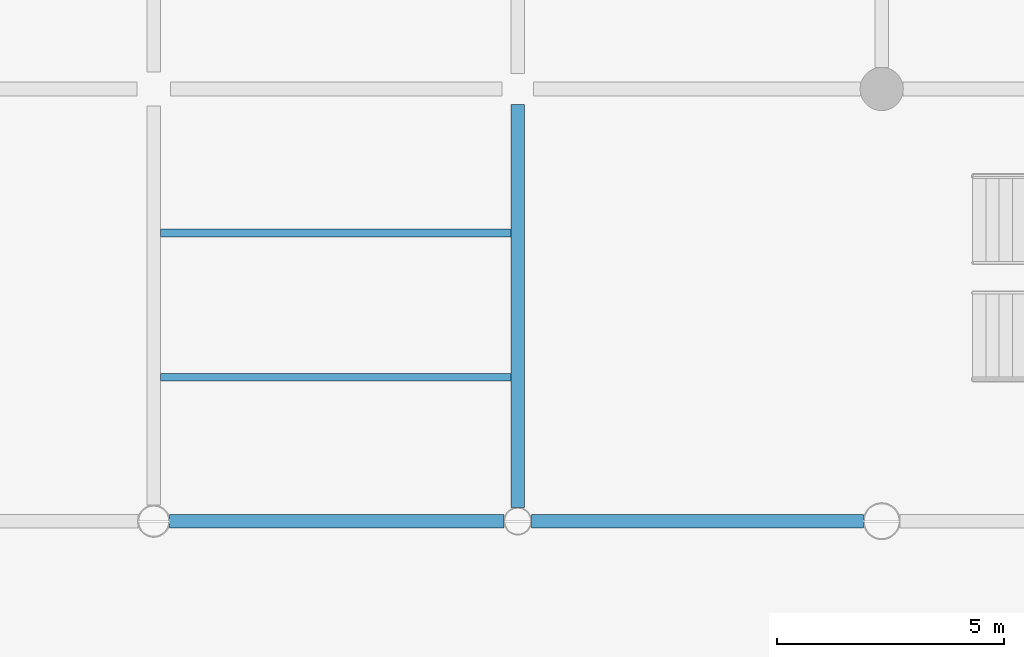
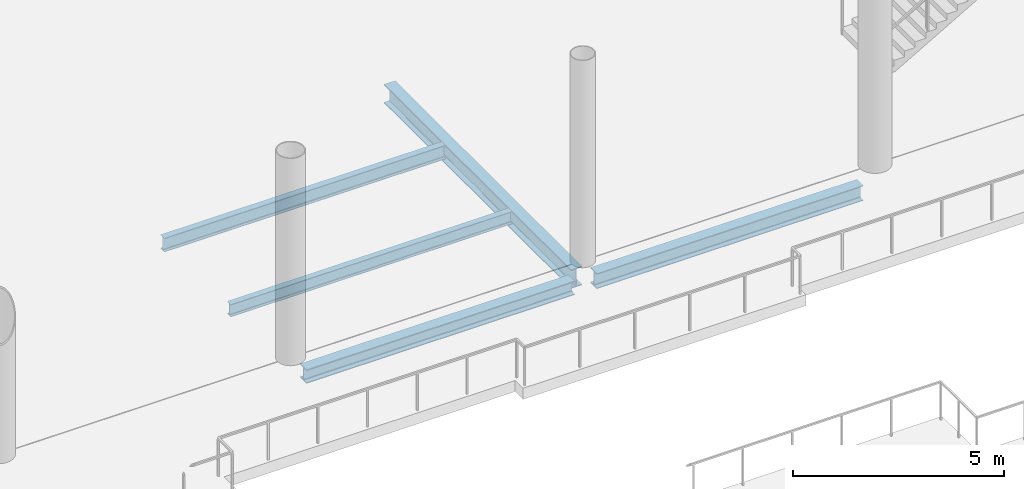
# One storey, part 75 of 163: 5 beams.
"""IFC4 building model written with IfcOpenShell, lengths in metres."""

import ifcopenshell
import ifcopenshell.guid

model = None  # the IFC model being written
_history = None  # IfcOwnerHistory: only IFC2X3 demands one
_inside = {}  # id of a spatial element -> (the spatial element, [elements in it])
_under = {}  # id of a project, library or spatial element -> (it, [spatial elements below it])
_declared = {}  # id of a project -> (the project, [libraries it declares])
_typed = {}  # id of a type object -> (the type object, [elements of that type])
_made_of = {}  # id of a material, layer set ... -> (it, [elements and type objects made of it])


def new_model(schema):
    """Start an empty IFC model of exactly this schema.

    Asked for "IFC4X3", IfcOpenShell would pick the latest addendum, in which some entities
    have other attributes; the version numbers below select the first issue.
    IFC2X3 requires an IfcOwnerHistory on every rooted entity: one is made here for all.
    """
    global model, _history
    if schema == "IFC4X3":
        model = ifcopenshell.file(schema_version=(4, 3, 0, 0))
    else:
        model = ifcopenshell.file(schema=schema)
    _inside.clear()
    _under.clear()
    _declared.clear()
    _typed.clear()
    _made_of.clear()
    _history = None
    if model.schema == "IFC2X3":
        org = make("IfcOrganization", Name="unknown")
        user = make(
            "IfcPersonAndOrganization",
            ThePerson=make("IfcPerson", FamilyName="unknown"),
            TheOrganization=org,
        )
        app = make(
            "IfcApplication",
            ApplicationDeveloper=org,
            Version="unknown",
            ApplicationFullName="unknown",
            ApplicationIdentifier="unknown",
        )
        _history = make(
            "IfcOwnerHistory",
            OwningUser=user,
            OwningApplication=app,
            ChangeAction="ADDED",
            CreationDate=0,
        )
    return model


def make(cls, **values):
    """One entity of the class cls with the attributes given. An attribute that is None is left unset."""
    return model.create_entity(
        cls, **{name: value for name, value in values.items() if value is not None}
    )


def rooted(cls, **values):
    """An entity with a GlobalId (a new one), such as an element, a storey or a relation."""
    return make(cls, GlobalId=ifcopenshell.guid.new(), OwnerHistory=_history, **values)


def si_unit(unit_type, name, prefix=None):
    """IfcSIUnit, for example si_unit("LENGTHUNIT", "METRE", prefix="MILLI")."""
    return make("IfcSIUnit", UnitType=unit_type, Prefix=prefix, Name=name)


def assignment(units):
    """IfcUnitAssignment: the units of a project."""
    return None if units is None else make("IfcUnitAssignment", Units=units)


def point(xyz):
    """IfcCartesianPoint."""
    return None if xyz is None else make("IfcCartesianPoint", Coordinates=xyz)


def direction(xyz):
    """IfcDirection."""
    return None if xyz is None else make("IfcDirection", DirectionRatios=xyz)


def frame(location, z_axis=None, x_axis=None):
    """IfcAxis2Placement3D, a coordinate frame: its origin and axes. An axis left out is left unset."""
    return make(
        "IfcAxis2Placement3D",
        Location=point(location),
        Axis=direction(z_axis),
        RefDirection=direction(x_axis),
    )


def frame_2d(location, x_axis=None):
    """IfcAxis2Placement2D, a coordinate frame in the plane: its origin and x axis."""
    return make(
        "IfcAxis2Placement2D", Location=point(location), RefDirection=direction(x_axis)
    )


def origin():
    """The frame at (0, 0, 0) with its axes left unset."""
    return frame((0.0, 0.0, 0.0))


def origin_2d():
    """The frame at (0, 0) in the plane with its x axis left unset."""
    return frame_2d((0.0, 0.0))


def place(relative_to, where):
    """IfcLocalPlacement: puts the frame where relative to a parent placement (None: the world)."""
    return make(
        "IfcLocalPlacement", PlacementRelTo=relative_to, RelativePlacement=where
    )


def context(
    kind, dimensions, precision=None, world=None, true_north=None, identifier=None
):
    """IfcGeometricRepresentationContext, for example the 3D "Model" context."""
    return make(
        "IfcGeometricRepresentationContext",
        ContextIdentifier=identifier,
        ContextType=kind,
        CoordinateSpaceDimension=dimensions,
        Precision=precision,
        WorldCoordinateSystem=world,
        TrueNorth=true_north,
    )


def subcontext(parent, identifier, kind, view, scale=None):
    """IfcGeometricRepresentationSubContext, for example "Body" below "Model"."""
    return make(
        "IfcGeometricRepresentationSubContext",
        ContextIdentifier=identifier,
        ContextType=kind,
        ParentContext=parent,
        TargetScale=scale,
        TargetView=view,
    )


def project(units=None, contexts=None):
    """IfcProject with its units and contexts."""
    return rooted(
        "IfcProject",
        Name="project",
        RepresentationContexts=contexts,
        UnitsInContext=assignment(units),
    )


def spatial(cls, under=None, at=None, **own):
    """A site, building, storey or space (cls), placed at a placement, below another one or the project."""
    s = rooted(cls, ObjectPlacement=at, **own)
    if under is not None:
        _under.setdefault(under.id(), (under, []))[1].append(s)
    return s


def profile(cls, at=None, kind="AREA", **sizes):
    """A parametric profile (cls). Its sizes go by their IFC names, for example OverallWidth=200.0."""
    return make(cls, ProfileType=kind, Position=at, **sizes)


def i_section(**sizes):
    """IfcIShapeProfileDef."""
    return profile("IfcIShapeProfileDef", **sizes)


def extrude(swept, where, along, depth):
    """IfcExtrudedAreaSolid: the profile swept, set in the frame where, extruded along a direction by depth."""
    return make(
        "IfcExtrudedAreaSolid",
        SweptArea=swept,
        Position=where,
        ExtrudedDirection=direction(along),
        Depth=depth,
    )


def shape(context_of_items, identifier, shape_type, items):
    """IfcShapeRepresentation: the items that make up one representation, for example the "Body"."""
    return make(
        "IfcShapeRepresentation",
        ContextOfItems=context_of_items,
        RepresentationIdentifier=identifier,
        RepresentationType=shape_type,
        Items=items,
    )


def material(Name=None, Category=None):
    """IfcMaterial."""
    return make("IfcMaterial", Name=Name, Category=Category)


def material_profile(
    of_material, cross_section, Name=None, Category=None, Priority=None
):
    """IfcMaterialProfile: a cross section and its material."""
    return make(
        "IfcMaterialProfile",
        Name=Name,
        Material=of_material,
        Profile=cross_section,
        Priority=Priority,
        Category=Category,
    )


def profile_set(profiles, Name=None, composite=None):
    """IfcMaterialProfileSet."""
    return make(
        "IfcMaterialProfileSet",
        Name=Name,
        MaterialProfiles=profiles,
        CompositeProfile=composite,
    )


def made_of(thing, what):
    """Note that an element or type object is made of a material, layer set ...; save() writes the relation."""
    if what is not None:
        _made_of.setdefault(what.id(), (what, []))[1].append(thing)
    return thing


def type_object(cls, material=None, **own):
    """A type object (cls), such as IfcWallType, which elements share."""
    return made_of(rooted(cls, **own), material)


def element(
    cls,
    number,
    at=None,
    inside=None,
    cuts=None,
    type_object=None,
    material=None,
    context=None,
    identifier="Body",
    shape_type=None,
    held_by="IfcProductDefinitionShape",
    body=None,
    shapes=None,
    **own,
):
    """One element of the class cls, such as IfcWall. Its Tag is "e" and its number.

    at: its placement. inside: the storey or other place that contains it. cuts: it is an
    opening in that element (IfcRelVoidsElement). A single representation is given by context,
    identifier, shape_type and body (its items); several are given by shapes. held_by: the class
    of the entity that holds the representations. save() writes the other relations.
    """
    e = rooted(cls, Tag="e%d" % number, ObjectPlacement=at, **own)
    if body is not None:
        shapes = [shape(context, identifier, shape_type, body)]
    if shapes is not None:
        e.Representation = make(held_by, Representations=shapes)
    if inside is not None:
        _inside.setdefault(inside.id(), (inside, []))[1].append(e)
    if cuts is not None:
        rooted(
            "IfcRelVoidsElement", RelatingBuildingElement=cuts, RelatedOpeningElement=e
        )
    if type_object is not None:
        _typed.setdefault(type_object.id(), (type_object, []))[1].append(e)
    return made_of(e, material)


def aggregate(whole, parts):
    """IfcRelAggregates: a whole, such as a stair, and the parts it consists of."""
    return rooted("IfcRelAggregates", RelatingObject=whole, RelatedObjects=parts)


def save(model, path):
    """Write the relations noted so far, then the file.

    IfcRelAggregates (storeys below a building ...), IfcRelContainedInSpatialStructure (elements
    in a storey), IfcRelDefinesByType, IfcRelAssociatesMaterial and IfcRelDeclares: one each for
    every whole, place, type object, material and project.
    """
    for whole, parts in _under.values():
        aggregate(whole, parts)
    for where, things in _inside.values():
        rooted(
            "IfcRelContainedInSpatialStructure",
            RelatedElements=things,
            RelatingStructure=where,
        )
    for kind, things in _typed.values():
        rooted("IfcRelDefinesByType", RelatedObjects=things, RelatingType=kind)
    for what, things in _made_of.values():
        rooted("IfcRelAssociatesMaterial", RelatedObjects=things, RelatingMaterial=what)
    for by, libraries in _declared.values():
        rooted("IfcRelDeclares", RelatingContext=by, RelatedDefinitions=libraries)
    model.write(path)


model = new_model("IFC4")

# Units and contexts
model_context = context("Model", 3, precision=1e-05, world=origin(), true_north=direction((0.0, 1.0)))
body_context = subcontext(model_context, "Body", "Model", "MODEL_VIEW")
ifc_project = project(units=[si_unit("LENGTHUNIT", "METRE"), si_unit("AREAUNIT", "SQUARE_METRE"), si_unit("VOLUMEUNIT", "CUBIC_METRE"), si_unit("PLANEANGLEUNIT", "RADIAN"), si_unit("MASSUNIT", "GRAM", prefix="KILO")], contexts=[model_context])

# Site, building, storey
site_placement = place(None, origin())
site = spatial("IfcSite", under=ifc_project, at=site_placement, CompositionType="ELEMENT")
building_placement = place(site_placement, origin())
building = spatial("IfcBuilding", under=site, at=building_placement, Name="Khorjan Park Terminus", CompositionType="ELEMENT")
storey_placement = place(building_placement, origin())
storey = spatial("IfcBuildingStorey", under=building, at=storey_placement, Name="L00", CompositionType="ELEMENT", Elevation=0.0)

# Beams
ifc_material = material(Name="Steel S355", Category="steel")
ifc_material_profile_1 = material_profile(ifc_material, i_section(OverallWidth=0.3, OverallDepth=0.44, WebThickness=0.0115, FlangeThickness=0.021, FilletRadius=0.027, at=origin_2d()), Name="HEA 450")
ifc_profile_set_1 = profile_set([ifc_material_profile_1], Name="Steel S355")
beam_type_1 = type_object("IfcBeamType", Name="BM-HEA450", PredefinedType="BEAM", material=ifc_profile_set_1)
beam_1_placement = place(storey_placement, frame((96.3, 102.0, -0.62), z_axis=(1.0, 0.0, 0.0), x_axis=(0.0, 1.0, 0.0)))
element("IfcBeam", 1, at=beam_1_placement, inside=storey, type_object=beam_type_1, Name="Primary floor girder SB-A45 (L00)", PredefinedType="BEAM", context=body_context, shape_type="SweptSolid", body=[
    extrude(i_section(OverallWidth=0.3, OverallDepth=0.44, WebThickness=0.0115, FlangeThickness=0.021, FilletRadius=0.027, at=origin_2d()), origin(), (0.0, 0.0, 1.0), 7.2985),
])
ifc_material_profile_2 = material_profile(ifc_material, i_section(OverallWidth=0.3, OverallDepth=0.4, WebThickness=0.0135, FlangeThickness=0.024, FilletRadius=0.027, at=origin_2d()), Name="HEB 400")
ifc_profile_set_2 = profile_set([ifc_material_profile_2], Name="Steel S355")
beam_type_2 = type_object("IfcBeamType", Name="BM-HEB400", PredefinedType="BEAM", material=ifc_profile_set_2)
beam_2_placement = place(storey_placement, frame((88.3505, 102.0, -0.6), z_axis=(1.0, 0.0, 0.0), x_axis=(0.0, 1.0, 0.0)))
element("IfcBeam", 2, at=beam_2_placement, inside=storey, type_object=beam_type_2, Name="Primary floor girder SB-B40 (L00)", PredefinedType="BEAM", context=body_context, shape_type="SweptSolid", body=[
    extrude(i_section(OverallWidth=0.3, OverallDepth=0.4, WebThickness=0.0135, FlangeThickness=0.024, FilletRadius=0.027, at=origin_2d()), origin(), (0.0, 0.0, 1.0), 7.3495),
])
ifc_material_profile_3 = material_profile(ifc_material, i_section(OverallWidth=0.3, OverallDepth=0.55, WebThickness=0.015, FlangeThickness=0.029, FilletRadius=0.027, at=origin_2d()), Name="HEB 550")
ifc_profile_set_3 = profile_set([ifc_material_profile_3], Name="Steel S355")
beam_type_3 = type_object("IfcBeamType", Name="BM-HEB550", PredefinedType="BEAM", material=ifc_profile_set_3)
beam_3_placement = place(storey_placement, frame((96.0, 102.3, -0.675), z_axis=(0.0, 1.0, 0.0), x_axis=(-1.0, 0.0, 0.0)))
element("IfcBeam", 3, at=beam_3_placement, inside=storey, type_object=beam_type_3, Name="Primary floor girder SB-B55 (L00)", PredefinedType="BEAM", context=body_context, shape_type="SweptSolid", body=[
    extrude(i_section(OverallWidth=0.3, OverallDepth=0.55, WebThickness=0.015, FlangeThickness=0.029, FilletRadius=0.027, at=origin_2d()), origin(), (0.0, 0.0, 1.0), 8.855),
])
ifc_material_profile_4 = material_profile(ifc_material, i_section(OverallWidth=0.17, OverallDepth=0.36, WebThickness=0.008, FlangeThickness=0.0127, FilletRadius=0.018, at=origin_2d()), Name="IPE 360")
ifc_profile_set_4 = profile_set([ifc_material_profile_4], Name="Steel S355")
beam_type_4 = type_object("IfcBeamType", Name="JS-IPE360", PredefinedType="JOIST", material=ifc_profile_set_4)
beam_4_placement = place(storey_placement, frame((88.15, 105.1667, -0.58), z_axis=(1.0, 0.0, 0.0), x_axis=(0.0, 1.0, 0.0)))
element("IfcBeam", 4, at=beam_4_placement, inside=storey, type_object=beam_type_4, Name="Secondary composite floor joist SJ-36 (L00)", PredefinedType="JOIST", context=body_context, shape_type="SweptSolid", body=[
    extrude(i_section(OverallWidth=0.17, OverallDepth=0.36, WebThickness=0.008, FlangeThickness=0.0127, FilletRadius=0.018, at=origin_2d()), origin(), (0.0, 0.0, 1.0), 7.7),
])
ifc_material_profile_5 = material_profile(ifc_material, i_section(OverallWidth=0.18, OverallDepth=0.4, WebThickness=0.0086, FlangeThickness=0.0135, FilletRadius=0.021, at=origin_2d()), Name="IPE 400")
ifc_profile_set_5 = profile_set([ifc_material_profile_5], Name="Steel S355")
beam_type_5 = type_object("IfcBeamType", Name="JS-IPE400", PredefinedType="JOIST", material=ifc_profile_set_5)
beam_5_placement = place(storey_placement, frame((88.15, 108.3333, -0.6), z_axis=(1.0, 0.0, 0.0), x_axis=(0.0, 1.0, 0.0)))
element("IfcBeam", 5, at=beam_5_placement, inside=storey, type_object=beam_type_5, Name="Secondary composite floor joist SJ-40 (L00)", PredefinedType="JOIST", context=body_context, shape_type="SweptSolid", body=[
    extrude(i_section(OverallWidth=0.18, OverallDepth=0.4, WebThickness=0.0086, FlangeThickness=0.0135, FilletRadius=0.021, at=origin_2d()), origin(), (0.0, 0.0, 1.0), 7.7),
])

save(model, "model.ifc")
